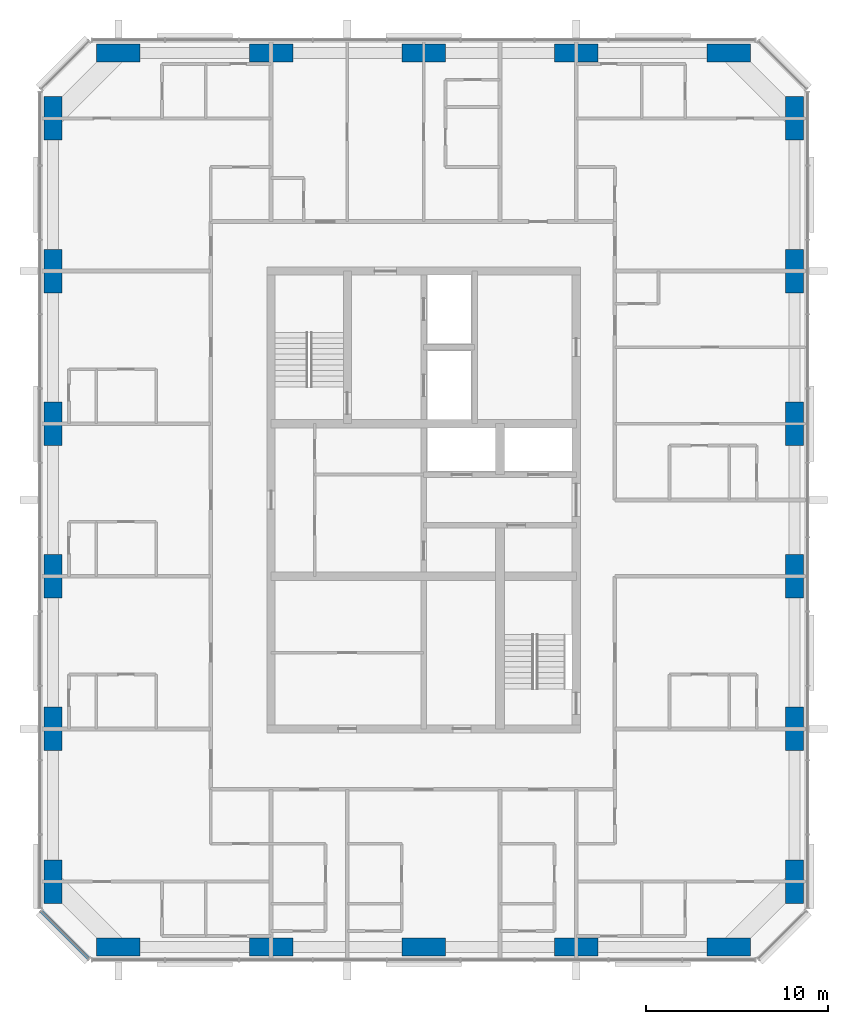
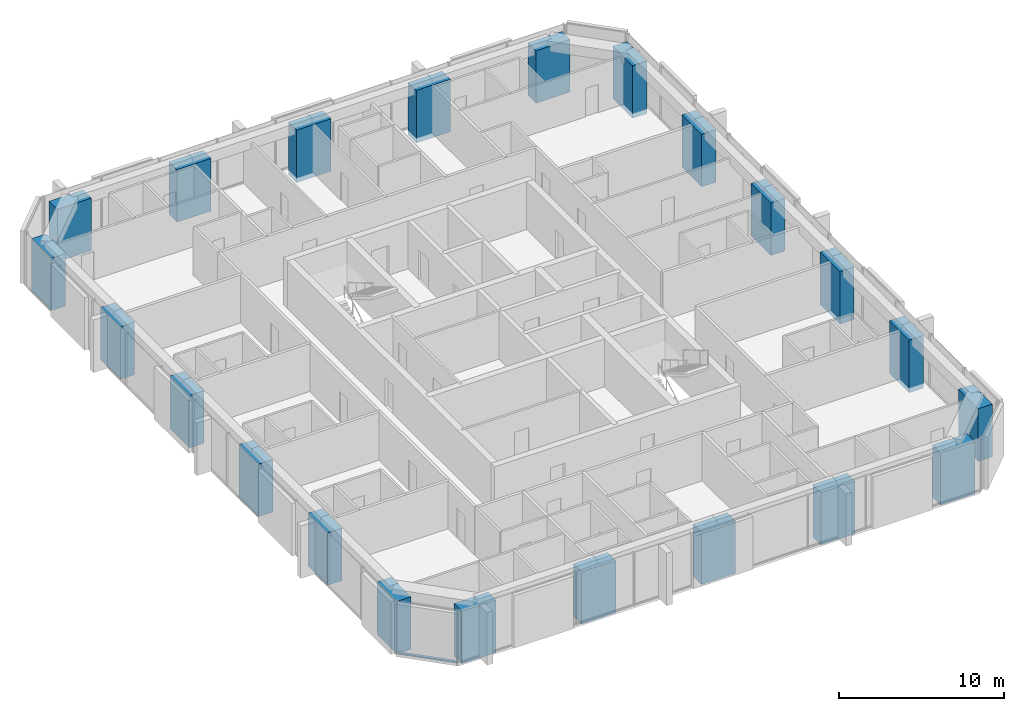
# One storey, part 1 of 12: 22 columns, 1 member, 1 element without a shape of its own.
"""IFC4 building model written with IfcOpenShell, lengths in metres."""

from ifc_helpers import new_model, si_unit, direction, frame, origin, origin_2d, place, context, subcontext, project, spatial, rectangle, extrude, material, material_profile, profile_set, type_object, element, aggregate, save


model = new_model("IFC4")

# Units and contexts
model_context = context("Model", 3, precision=1e-05, world=origin(), true_north=direction((0.0, 1.0)))
body_context = subcontext(model_context, "Body", "Model", "MODEL_VIEW")
ifc_project = project(units=[si_unit("LENGTHUNIT", "METRE"), si_unit("AREAUNIT", "SQUARE_METRE"), si_unit("VOLUMEUNIT", "CUBIC_METRE"), si_unit("PLANEANGLEUNIT", "RADIAN"), si_unit("MASSUNIT", "GRAM", prefix="KILO")], contexts=[model_context])

# Site, building, storey
site_placement = place(None, origin())
site = spatial("IfcSite", under=ifc_project, at=site_placement, CompositionType="ELEMENT")
building_placement = place(site_placement, origin())
building = spatial("IfcBuilding", under=site, at=building_placement, Name="Dunama Terrace Hotel", CompositionType="ELEMENT")
storey_placement = place(building_placement, frame((0.0, 0.0, 249.0)))
storey = spatial("IfcBuildingStorey", under=building, at=storey_placement, Name="L64", CompositionType="ELEMENT", Elevation=249.0)

# Columns
ifc_material_1 = material(Name="Concrete C50/60", Category="concrete")
ifc_material_profile_1 = material_profile(ifc_material_1, rectangle(XDim=1.0, YDim=2.39990234375, at=origin_2d()), Name="RC 1000x2400")
ifc_profile_set_1 = profile_set([ifc_material_profile_1], Name="Concrete C50/60")
column_type_1 = type_object("IfcColumnType", Name="Column RC 1000x2400", PredefinedType="COLUMN", material=ifc_profile_set_1)
for number, where, z_axis, x_axis, name in (
    (1, (13.199951171875, 8.39990234375, -0.35009765625), (0.0, 0.0, 1.0), (1.0, 0.0, 0.0), "Column L64 +13.2/+8.4"),
    (2, (13.199951171875, 16.800048828125, -0.35009765625), (0.0, 0.0, 1.0), (1.0, 0.0, 0.0), "Column L64 +13.2/+16.8"),
    (3, (13.199951171875, 25.199951171875, -0.35009765625), (0.0, 0.0, 1.0), (1.0, 0.0, 0.0), "Column L64 +13.2/+25.2"),
    (4, (13.199951171875, 33.60009765625, -0.35009765625), (0.0, 0.0, 1.0), (1.0, 0.0, 0.0), "Column L64 +13.2/+33.6"),
    (5, (13.199951171875, 42.0, -0.35009765625), (0.0, 0.0, 1.0), (1.0, 0.0, 0.0), "Column L64 +13.2/+42.0"),
    (6, (13.199951171875, 50.39990234375, -0.35009765625), (0.0, 0.0, 1.0), (1.0, 0.0, 0.0), "Column L64 +13.2/+50.4"),
    (7, (54.0, 8.39990234375, -0.35009765625), (0.0, 0.0, 1.0), (1.0, 0.0, 0.0), "Column L64 +54.0/+8.4"),
    (8, (54.0, 16.800048828125, -0.35009765625), (0.0, 0.0, 1.0), (1.0, 0.0, 0.0), "Column L64 +54.0/+16.8"),
    (9, (54.0, 25.199951171875, -0.35009765625), (0.0, 0.0, 1.0), (1.0, 0.0, 0.0), "Column L64 +54.0/+25.2"),
    (10, (54.0, 33.60009765625, -0.35009765625), (0.0, 0.0, 1.0), (1.0, 0.0, 0.0), "Column L64 +54.0/+33.6"),
    (11, (54.0, 42.0, -0.35009765625), (0.0, 0.0, 1.0), (1.0, 0.0, 0.0), "Column L64 +54.0/+42.0"),
    (12, (54.0, 50.39990234375, -0.35009765625), (0.0, 0.0, 1.0), (1.0, 0.0, 0.0), "Column L64 +54.0/+50.4"),
):
    element("IfcColumn", number, at=place(storey_placement, frame(where, z_axis=z_axis, x_axis=x_axis)), inside=storey, type_object=column_type_1, Name=name, PredefinedType="COLUMN", context=body_context, shape_type="SweptSolid", body=[
        extrude(rectangle(XDim=1.0, YDim=2.39990234375, at=origin_2d()), origin(), (0.0, 0.0, 1.0), 3.900146484375),
    ])
ifc_material_2 = material(Name="Concrete C50/60", Category="concrete")
ifc_material_profile_2 = material_profile(ifc_material_2, rectangle(XDim=2.39990234375, YDim=1.0, at=origin_2d()), Name="RC 2400x1000")
ifc_profile_set_2 = profile_set([ifc_material_profile_2], Name="Concrete C50/60")
column_type_2 = type_object("IfcColumnType", Name="Column RC 2400x1000", PredefinedType="COLUMN", material=ifc_profile_set_2)
for number, where, z_axis, x_axis, name in (
    (13, (16.800048828125, 4.800048828125, -0.35009765625), (0.0, 0.0, 1.0), (1.0, 0.0, 0.0), "Column L64 +16.8/+4.8"),
    (14, (16.800048828125, 54.0, -0.35009765625), (0.0, 0.0, 1.0), (1.0, 0.0, 0.0), "Column L64 +16.8/+54.0"),
    (15, (25.199951171875, 4.800048828125, -0.35009765625), (0.0, 0.0, 1.0), (1.0, 0.0, 0.0), "Column L64 +25.2/+4.8"),
    (16, (25.199951171875, 54.0, -0.35009765625), (0.0, 0.0, 1.0), (1.0, 0.0, 0.0), "Column L64 +25.2/+54.0"),
    (17, (33.60009765625, 4.800048828125, -0.35009765625), (0.0, 0.0, 1.0), (1.0, 0.0, 0.0), "Column L64 +33.6/+4.8"),
    (18, (33.60009765625, 54.0, -0.35009765625), (0.0, 0.0, 1.0), (1.0, 0.0, 0.0), "Column L64 +33.6/+54.0"),
    (19, (42.0, 4.800048828125, -0.35009765625), (0.0, 0.0, 1.0), (1.0, 0.0, 0.0), "Column L64 +42.0/+4.8"),
    (20, (42.0, 54.0, -0.35009765625), (0.0, 0.0, 1.0), (1.0, 0.0, 0.0), "Column L64 +42.0/+54.0"),
    (21, (50.39990234375, 4.800048828125, -0.35009765625), (0.0, 0.0, 1.0), (1.0, 0.0, 0.0), "Column L64 +50.4/+4.8"),
    (22, (50.39990234375, 54.0, -0.35009765625), (0.0, 0.0, 1.0), (1.0, 0.0, 0.0), "Column L64 +50.4/+54.0"),
):
    element("IfcColumn", number, at=place(storey_placement, frame(where, z_axis=z_axis, x_axis=x_axis)), inside=storey, type_object=column_type_2, Name=name, PredefinedType="COLUMN", context=body_context, shape_type="SweptSolid", body=[
        extrude(rectangle(XDim=2.39990234375, YDim=1.0, at=origin_2d()), origin(), (0.0, 0.0, 1.0), 3.900146484375),
    ])

# Curtain wall, member
ifc_material_3 = material(Name="Aluminium curtain wall system", Category="aluminium")
curtain_wall_type = type_object("IfcCurtainWallType", Name="Unitised fritted glass wall CW-D", PredefinedType="NOTDEFINED", material=ifc_material_3)
curtain_wall_placement = place(storey_placement, origin())
curtain_wall = element("IfcCurtainWall", 23, at=curtain_wall_placement, inside=storey, type_object=curtain_wall_type, Name="Unitised fritted glass wall CW-D L64", PredefinedType="NOTDEFINED")
ifc_material_4 = material(Name="Aluminium transom", Category="aluminium")
ifc_material_profile_3 = material_profile(ifc_material_4, rectangle(XDim=0.199951171875, YDim=0.0849609375, at=origin_2d()), Name="CWD TRANSOM 200X85")
ifc_profile_set_3 = profile_set([ifc_material_profile_3], Name="Aluminium transom")
member_type = type_object("IfcMemberType", Name="CWD transom 200x85", PredefinedType="USERDEFINED", material=ifc_profile_set_3)
member_placement = place(storey_placement, frame((12.56494140625, 6.76611328125, 0.04248046875), z_axis=(0.707106781187, -0.707106781187, 0.0), x_axis=(0.707106781187, 0.707106781187, 0.0)))
member = element("IfcMember", 24, at=member_placement, type_object=member_type, Name="CWD transom", ObjectType="TRANSOM", PredefinedType="USERDEFINED", context=body_context, shape_type="SweptSolid", body=[
    extrude(rectangle(XDim=0.199951171875, YDim=0.0849609375, at=origin_2d()), origin(), (0.0, 0.0, 1.0), 3.678466796875),
])
aggregate(curtain_wall, [member])

save(model, "model.ifc")
